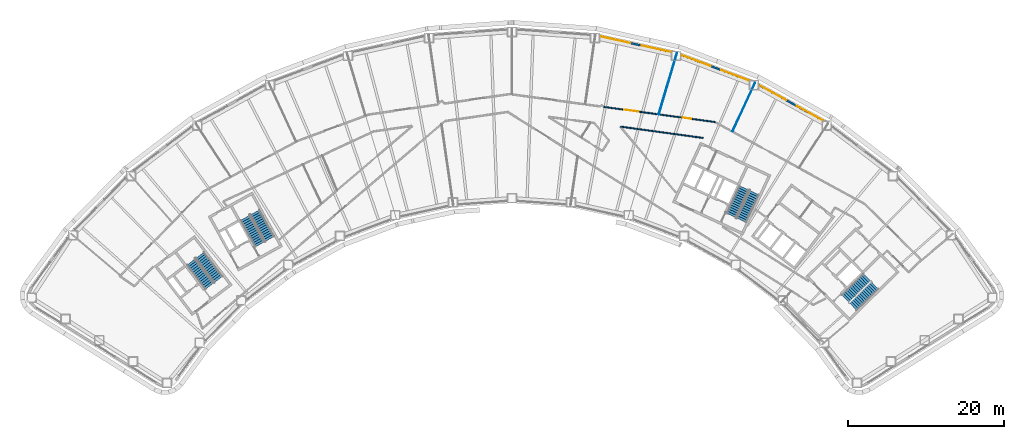
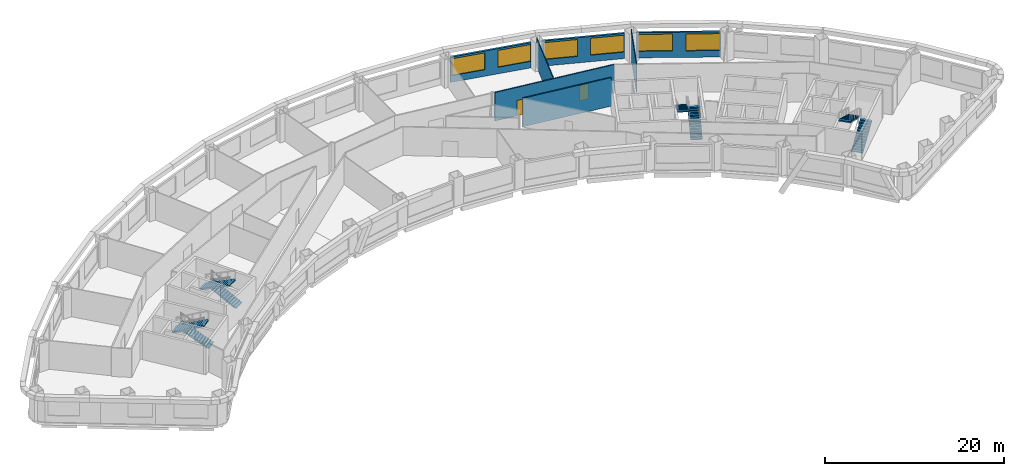
# One storey, part 8 of 10: 8 stair flights, 7 walls, 6 windows, 2 doors, 8 openings, 4 elements without a shape of their own.
"""IFC4 building model written with IfcOpenShell, lengths in metres."""

from ifc_helpers import new_model, si_unit, direction, frame, frame_2d, origin, place, context, subcontext, project, spatial, polyline, rectangle, outline, extrude, material, layer, layer_set, type_object, element, fill, aggregate, save


model = new_model("IFC4")

# Units and contexts
model_context = context("Model", 3, precision=1e-05, world=origin(), true_north=direction((0.0, 1.0)))
body_context = subcontext(model_context, "Body", "Model", "MODEL_VIEW")
ifc_project = project(units=[si_unit("LENGTHUNIT", "METRE"), si_unit("AREAUNIT", "SQUARE_METRE"), si_unit("VOLUMEUNIT", "CUBIC_METRE"), si_unit("PLANEANGLEUNIT", "RADIAN"), si_unit("MASSUNIT", "GRAM", prefix="KILO")], contexts=[model_context])

# Site, building, storey
site_placement = place(None, origin())
site = spatial("IfcSite", under=ifc_project, at=site_placement, CompositionType="ELEMENT")
building_placement = place(site_placement, origin())
building = spatial("IfcBuilding", under=site, at=building_placement, Name="Tuul Gate Civic Tower", CompositionType="ELEMENT")
storey_placement = place(building_placement, frame((0.0, 0.0, 86.39990234375)))
storey = spatial("IfcBuildingStorey", under=building, at=storey_placement, Name="Level 19", CompositionType="ELEMENT", Elevation=86.39990234375)

# Wall, openings, doors
ifc_material_1 = material(Name="Gypsum board partition")
ifc_layer_1 = layer(ifc_material_1, 0.14990234375)
ifc_layer_set_1 = layer_set([ifc_layer_1], Name="Gypsum board partition")
wall_type_1 = type_object("IfcWallType", Name="Corridor wall P150", PredefinedType="PARTITIONING", material=ifc_layer_set_1)
wall_1_placement = place(storey_placement, frame((16.561767578125, 9.07421875, 0.0), z_axis=(0.0, 0.0, 1.0), x_axis=(0.990834690685, -0.135080034555, 0.0)))
wall_1 = element("IfcWall", 1, at=wall_1_placement, inside=storey, type_object=wall_type_1, Name="p012", PredefinedType="PARTITIONING", context=body_context, shape_type="SweptSolid", body=[
    extrude(rectangle(XDim=14.451904296875, YDim=0.14990234375, at=frame_2d((7.22607421875, 0.0))), origin(), (0.0, 0.0, 1.0), 3.900146484375),
])
opening_1_placement = place(wall_1_placement, frame((10.25, 0.0, 0.0)))
opening_1 = element("IfcOpeningElement", 2, at=opening_1_placement, cuts=wall_1, Name="Opening F-D03", PredefinedType="OPENING", context=body_context, shape_type="SweptSolid", body=[
    extrude(rectangle(XDim=1.10009765625, YDim=2.10009765625, at=frame_2d((0.550048828125, 1.050048828125))), frame((0.0, 0.0849609375, 0.0), z_axis=(0.0, -1.0, 0.0), x_axis=(1.0, 0.0, 0.0)), (0.0, 0.0, 1.0), 0.169921875),
])
opening_2_placement = place(wall_1_placement, frame((2.674072265625, 0.0, 0.0)))
opening_2 = element("IfcOpeningElement", 3, at=opening_2_placement, cuts=wall_1, Name="Opening F-D04", PredefinedType="OPENING", context=body_context, shape_type="SweptSolid", body=[
    extrude(rectangle(XDim=1.800048828125, YDim=2.10009765625, at=frame_2d((0.89990234375, 1.050048828125))), frame((0.0, 0.0849609375, 0.0), z_axis=(0.0, -1.0, 0.0), x_axis=(1.0, 0.0, 0.0)), (0.0, 0.0, 1.0), 0.169921875),
])
ifc_material_2 = material(Name="Timber door leaf", Category="wood")
door_type_1 = type_object("IfcDoorType", Name="Door D11", OperationType="NOTDEFINED", PredefinedType="DOOR", material=ifc_material_2)
door_1_placement = place(opening_1_placement, origin())
door_1 = element("IfcDoor", 4, at=door_1_placement, inside=storey, type_object=door_type_1, Name="Door F-D03", OperationType="SINGLE_SWING_RIGHT", OverallHeight=2.10009765625, OverallWidth=1.10009765625, PredefinedType="DOOR", context=body_context, shape_type="SweptSolid", body=[
    extrude(rectangle(XDim=1.10009765625, YDim=2.10009765625, at=frame_2d((0.550048828125, 1.050048828125))), frame((0.0, 0.02490234375, 0.0), z_axis=(0.0, -1.0, 0.0), x_axis=(1.0, 0.0, 0.0)), (0.0, 0.0, 1.0), 0.050048828125),
])
fill(opening_1, door_1)
ifc_material_3 = material(Name="Timber door leaf, double", Category="wood")
door_type_2 = type_object("IfcDoorType", Name="Door D18", OperationType="DOUBLE_DOOR_SINGLE_SWING", PredefinedType="DOOR", material=ifc_material_3)
door_2_placement = place(opening_2_placement, origin())
door_2 = element("IfcDoor", 5, at=door_2_placement, inside=storey, type_object=door_type_2, Name="Door F-D04", OperationType="DOUBLE_DOOR_SINGLE_SWING", OverallHeight=2.10009765625, OverallWidth=1.800048828125, PredefinedType="DOOR", context=body_context, shape_type="SweptSolid", body=[
    extrude(rectangle(XDim=1.800048828125, YDim=2.10009765625, at=frame_2d((0.89990234375, 1.050048828125))), frame((0.0, 0.02490234375, 0.0), z_axis=(0.0, -1.0, 0.0), x_axis=(1.0, 0.0, 0.0)), (0.0, 0.0, 1.0), 0.050048828125),
])
fill(opening_2, door_2)

# Wall
wall_2_placement = place(storey_placement, frame((18.736083984375, 6.53662109375, 0.0), z_axis=(0.0, 0.0, 1.0), x_axis=(0.990753616784, -0.135673397645, 0.0)))
element("IfcWall", 6, at=wall_2_placement, inside=storey, type_object=wall_type_1, Name="p049", PredefinedType="PARTITIONING", context=body_context, shape_type="SweptSolid", body=[
    extrude(rectangle(XDim=10.696044921875, YDim=0.14990234375, at=frame_2d((5.34814453125, 0.0))), origin(), (0.0, 0.0, 1.0), 3.900146484375),
])

# Wall, openings, windows
ifc_material_4 = material(Name="Precast concrete C40/50", Category="concrete")
ifc_layer_2 = layer(ifc_material_4, 0.25)
ifc_layer_set_2 = layer_set([ifc_layer_2], Name="Precast concrete C40/50")
wall_type_2 = type_object("IfcWallType", Name="External wall", PredefinedType="STANDARD", material=ifc_layer_set_2)
wall_3_placement = place(storey_placement, frame((44.798583984375, 7.283935546875, 0.0), z_axis=(0.0, 0.0, 1.0), x_axis=(-0.874600835604, 0.484843663835, 0.0)))
wall_3 = element("IfcWall", 7, at=wall_3_placement, inside=storey, type_object=wall_type_2, Name="External wall", PredefinedType="STANDARD", context=body_context, shape_type="SweptSolid", body=[
    extrude(rectangle(XDim=9.5205078125, YDim=0.25, at=frame_2d((4.76025390625, 0.0))), origin(), (0.0, 0.0, 1.0), 3.4501953125),
])
opening_3_placement = place(wall_3_placement, frame((0.0771484375, 0.0, 0.89990234375)))
opening_3 = element("IfcOpeningElement", 8, at=opening_3_placement, cuts=wall_3, Name="Opening W22", PredefinedType="OPENING", context=body_context, shape_type="SweptSolid", body=[
    extrude(rectangle(XDim=3.85009765625, YDim=2.300048828125, at=frame_2d((1.925048828125, 1.14990234375))), frame((0.0, 0.135009765625, 0.0), z_axis=(0.0, -1.0, 0.0), x_axis=(1.0, 0.0, 0.0)), (0.0, 0.0, 1.0), 0.27001953125),
])
opening_4_placement = place(wall_3_placement, frame((5.447998046875, 0.0, 0.89990234375)))
opening_4 = element("IfcOpeningElement", 9, at=opening_4_placement, cuts=wall_3, Name="Opening W22", PredefinedType="OPENING", context=body_context, shape_type="SweptSolid", body=[
    extrude(rectangle(XDim=3.85009765625, YDim=2.300048828125, at=frame_2d((1.925048828125, 1.14990234375))), frame((0.0, 0.135009765625, 0.0), z_axis=(0.0, -1.0, 0.0), x_axis=(1.0, 0.0, 0.0)), (0.0, 0.0, 1.0), 0.27001953125),
])
ifc_material_5 = material(Name="Glass", Category="glass")
window_type_1 = type_object("IfcWindowType", Name="Window W22 3850 x 2300", PartitioningType="SINGLE_PANEL", PredefinedType="WINDOW", material=ifc_material_5)
window_1_placement = place(opening_3_placement, origin())
window_1 = element("IfcWindow", 10, at=window_1_placement, inside=storey, type_object=window_type_1, Name="Window", OverallHeight=2.300048828125, OverallWidth=3.85009765625, PartitioningType="SINGLE_PANEL", PredefinedType="WINDOW", context=body_context, shape_type="SweptSolid", body=[
    extrude(rectangle(XDim=3.85009765625, YDim=2.300048828125, at=frame_2d((1.925048828125, 1.14990234375))), frame((0.0, 0.030029296875, 0.0), z_axis=(0.0, -1.0, 0.0), x_axis=(1.0, 0.0, 0.0)), (0.0, 0.0, 1.0), 0.06005859375),
])
fill(opening_3, window_1)
window_2_placement = place(opening_4_placement, origin())
window_2 = element("IfcWindow", 11, at=window_2_placement, inside=storey, type_object=window_type_1, Name="Window", OverallHeight=2.300048828125, OverallWidth=3.85009765625, PartitioningType="SINGLE_PANEL", PredefinedType="WINDOW", context=body_context, shape_type="SweptSolid", body=[
    extrude(rectangle(XDim=3.85009765625, YDim=2.300048828125, at=frame_2d((1.925048828125, 1.14990234375))), frame((0.0, 0.030029296875, 0.0), z_axis=(0.0, -1.0, 0.0), x_axis=(1.0, 0.0, 0.0)), (0.0, 0.0, 1.0), 0.06005859375),
])
fill(opening_4, window_2)

wall_4_placement = place(storey_placement, frame((35.27197265625, 12.43505859375, 0.0), z_axis=(0.0, 0.0, 1.0), x_axis=(-0.935339717619, 0.35375077759, 0.0)))
wall_4 = element("IfcWall", 12, at=wall_4_placement, inside=storey, type_object=wall_type_2, Name="External wall", PredefinedType="STANDARD", context=body_context, shape_type="SweptSolid", body=[
    extrude(rectangle(XDim=9.394287109375, YDim=0.25, at=frame_2d((4.697265625, 0.0))), origin(), (0.0, 0.0, 1.0), 3.4501953125),
])
opening_5_placement = place(wall_4_placement, frame((0.044921875, 0.0, 0.89990234375)))
opening_5 = element("IfcOpeningElement", 13, at=opening_5_placement, cuts=wall_4, Name="Opening W100", PredefinedType="OPENING", context=body_context, shape_type="SweptSolid", body=[
    extrude(rectangle(XDim=3.800048828125, YDim=2.300048828125, at=frame_2d((1.89990234375, 1.14990234375))), frame((0.0, 0.135009765625, 0.0), z_axis=(0.0, -1.0, 0.0), x_axis=(1.0, 0.0, 0.0)), (0.0, 0.0, 1.0), 0.27001953125),
])
opening_6_placement = place(wall_4_placement, frame((5.33447265625, 0.0, 0.89990234375)))
opening_6 = element("IfcOpeningElement", 14, at=opening_6_placement, cuts=wall_4, Name="Opening W22", PredefinedType="OPENING", context=body_context, shape_type="SweptSolid", body=[
    extrude(rectangle(XDim=3.85009765625, YDim=2.300048828125, at=frame_2d((1.925048828125, 1.14990234375))), frame((0.0, 0.135009765625, 0.0), z_axis=(0.0, -1.0, 0.0), x_axis=(1.0, 0.0, 0.0)), (0.0, 0.0, 1.0), 0.27001953125),
])
ifc_material_6 = material(Name="Glass", Category="glass")
window_type_2 = type_object("IfcWindowType", Name="Window W100 3800 x 2300", PartitioningType="SINGLE_PANEL", PredefinedType="WINDOW", material=ifc_material_6)
window_3_placement = place(opening_5_placement, origin())
window_3 = element("IfcWindow", 15, at=window_3_placement, inside=storey, type_object=window_type_2, Name="Window", OverallHeight=2.300048828125, OverallWidth=3.800048828125, PartitioningType="SINGLE_PANEL", PredefinedType="WINDOW", context=body_context, shape_type="SweptSolid", body=[
    extrude(rectangle(XDim=3.800048828125, YDim=2.300048828125, at=frame_2d((1.89990234375, 1.14990234375))), frame((0.0, 0.030029296875, 0.0), z_axis=(0.0, -1.0, 0.0), x_axis=(1.0, 0.0, 0.0)), (0.0, 0.0, 1.0), 0.06005859375),
])
fill(opening_5, window_3)
window_4_placement = place(opening_6_placement, origin())
window_4 = element("IfcWindow", 16, at=window_4_placement, inside=storey, type_object=window_type_1, Name="Window", OverallHeight=2.300048828125, OverallWidth=3.85009765625, PartitioningType="SINGLE_PANEL", PredefinedType="WINDOW", context=body_context, shape_type="SweptSolid", body=[
    extrude(rectangle(XDim=3.85009765625, YDim=2.300048828125, at=frame_2d((1.925048828125, 1.14990234375))), frame((0.0, 0.030029296875, 0.0), z_axis=(0.0, -1.0, 0.0), x_axis=(1.0, 0.0, 0.0)), (0.0, 0.0, 1.0), 0.06005859375),
])
fill(opening_6, window_4)

wall_5_placement = place(storey_placement, frame((25.284912109375, 16.1025390625, 0.0), z_axis=(0.0, 0.0, 1.0), x_axis=(-0.976565560321, 0.215220134732, 0.0)))
wall_5 = element("IfcWall", 17, at=wall_5_placement, inside=storey, type_object=wall_type_2, Name="External wall", PredefinedType="STANDARD", context=body_context, shape_type="SweptSolid", body=[
    extrude(rectangle(XDim=9.4482421875, YDim=0.25, at=frame_2d((4.72412109375, 0.0))), origin(), (0.0, 0.0, 1.0), 3.4501953125),
])
opening_7_placement = place(wall_5_placement, frame((0.041748046875, 0.0, 0.89990234375)))
opening_7 = element("IfcOpeningElement", 18, at=opening_7_placement, cuts=wall_5, Name="Opening W22", PredefinedType="OPENING", context=body_context, shape_type="SweptSolid", body=[
    extrude(rectangle(XDim=3.85009765625, YDim=2.300048828125, at=frame_2d((1.925048828125, 1.14990234375))), frame((0.0, 0.135009765625, 0.0), z_axis=(0.0, -1.0, 0.0), x_axis=(1.0, 0.0, 0.0)), (0.0, 0.0, 1.0), 0.27001953125),
])
opening_8_placement = place(wall_5_placement, frame((5.4130859375, 0.0, 0.89990234375)))
opening_8 = element("IfcOpeningElement", 19, at=opening_8_placement, cuts=wall_5, Name="Opening W22", PredefinedType="OPENING", context=body_context, shape_type="SweptSolid", body=[
    extrude(rectangle(XDim=3.85009765625, YDim=2.300048828125, at=frame_2d((1.925048828125, 1.14990234375))), frame((0.0, 0.135009765625, 0.0), z_axis=(0.0, -1.0, 0.0), x_axis=(1.0, 0.0, 0.0)), (0.0, 0.0, 1.0), 0.27001953125),
])
window_5_placement = place(opening_7_placement, origin())
window_5 = element("IfcWindow", 20, at=window_5_placement, inside=storey, type_object=window_type_1, Name="Window", OverallHeight=2.300048828125, OverallWidth=3.85009765625, PartitioningType="SINGLE_PANEL", PredefinedType="WINDOW", context=body_context, shape_type="SweptSolid", body=[
    extrude(rectangle(XDim=3.85009765625, YDim=2.300048828125, at=frame_2d((1.925048828125, 1.14990234375))), frame((0.0, 0.030029296875, 0.0), z_axis=(0.0, -1.0, 0.0), x_axis=(1.0, 0.0, 0.0)), (0.0, 0.0, 1.0), 0.06005859375),
])
fill(opening_7, window_5)
window_6_placement = place(opening_8_placement, origin())
window_6 = element("IfcWindow", 21, at=window_6_placement, inside=storey, type_object=window_type_1, Name="Window", OverallHeight=2.300048828125, OverallWidth=3.85009765625, PartitioningType="SINGLE_PANEL", PredefinedType="WINDOW", context=body_context, shape_type="SweptSolid", body=[
    extrude(rectangle(XDim=3.85009765625, YDim=2.300048828125, at=frame_2d((1.925048828125, 1.14990234375))), frame((0.0, 0.030029296875, 0.0), z_axis=(0.0, -1.0, 0.0), x_axis=(1.0, 0.0, 0.0)), (0.0, 0.0, 1.0), 0.06005859375),
])
fill(opening_8, window_6)

# Walls
ifc_material_7 = material(Name="Gypsum board partition")
ifc_layer_3 = layer(ifc_material_7, 0.10009765625)
ifc_layer_set_3 = layer_set([ifc_layer_3], Name="Gypsum board partition")
wall_type_3 = type_object("IfcWallType", Name="Partition P100", PredefinedType="PARTITIONING", material=ifc_layer_set_3)
wall_6_placement = place(storey_placement, frame((33.111328125, 5.901611328125, 0.0), z_axis=(0.0, 0.0, 1.0), x_axis=(0.420343760067, 0.907364933956, 0.0)))
element("IfcWall", 22, at=wall_6_placement, inside=storey, type_object=wall_type_3, Name="p009", PredefinedType="PARTITIONING", context=body_context, shape_type="SweptSolid", body=[
    extrude(rectangle(XDim=6.898193359375, YDim=0.10009765625, at=frame_2d((3.44921875, 0.0))), origin(), (0.0, 0.0, 1.0), 3.900146484375),
])
wall_7_placement = place(storey_placement, frame((23.64453125, 8.1083984375, 0.0), z_axis=(0.0, 0.0, 1.0), x_axis=(0.285221306763, 0.958461687376, 0.0)))
element("IfcWall", 23, at=wall_7_placement, inside=storey, type_object=wall_type_3, Name="p010", PredefinedType="PARTITIONING", context=body_context, shape_type="SweptSolid", body=[
    extrude(rectangle(XDim=8.1865234375, YDim=0.10009765625, at=frame_2d((4.09326171875, 0.0))), origin(), (0.0, 0.0, 1.0), 3.900146484375),
])

# Stair, stair flights
ifc_material_8 = material(Name="Concrete C40/50", Category="concrete")
stair_type = type_object("IfcStairType", Name="Exit stair", PredefinedType="HALF_TURN_STAIR", material=ifc_material_8)
stair_1_placement = place(storey_placement, origin())
stair_1 = element("IfcStair", 24, at=stair_1_placement, inside=storey, type_object=stair_type, Name="Level 19 ST-1", PredefinedType="HALF_TURN_STAIR")
ifc_material_9 = material(Name="Concrete C40/50", Category="concrete")
stair_flight_type = type_object("IfcStairFlightType", Name="Exit stair flight", PredefinedType="STRAIGHT", material=ifc_material_9)
stair_flight_1_placement = place(storey_placement, frame((-32.875244140625, -13.066650390625, 0.0), z_axis=(0.0, 0.0, 1.0), x_axis=(-0.605764474941, 0.795644016442, 0.0)))
stair_flight_1 = element("IfcStairFlight", 25, at=stair_flight_1_placement, type_object=stair_flight_type, Name="ST-1 flight 1", NumberOfRisers=14, NumberOfTreads=13, PredefinedType="STRAIGHT", RiserHeight=0.15, TreadLength=0.3, context=body_context, shape_type="SweptSolid", body=[
    extrude(outline(polyline([(0.0, 0.0), (0.0, 0.14990234375), (0.300048828125, 0.14990234375), (0.300048828125, 0.300048828125), (0.60009765625, 0.300048828125), (0.60009765625, 0.449951171875), (0.89990234375, 0.449951171875), (0.89990234375, 0.60009765625), (1.199951171875, 0.60009765625), (1.199951171875, 0.75), (1.5, 0.75), (1.5, 0.89990234375), (1.800048828125, 0.89990234375), (1.800048828125, 1.050048828125), (2.10009765625, 1.050048828125), (2.10009765625, 1.199951171875), (2.39990234375, 1.199951171875), (2.39990234375, 1.35009765625), (2.699951171875, 1.35009765625), (2.699951171875, 1.5), (3.0, 1.5), (3.0, 1.64990234375), (3.300048828125, 1.64990234375), (3.300048828125, 1.800048828125), (3.60009765625, 1.800048828125), (3.60009765625, 1.949951171875), (3.89990234375, 1.949951171875), (3.89990234375, 2.10009765625), (3.89990234375, 1.782470703125), (0.335205078125, 0.0), (0.0, 0.0)])), frame((0.0, 0.675048828125, 0.0), z_axis=(0.0, -1.0, 0.0), x_axis=(1.0, 0.0, 0.0)), (0.0, 0.0, 1.0), 1.35009765625),
])
stair_flight_2_placement = place(storey_placement, frame((-36.391357421875, -10.842041015625, 2.10009765625), z_axis=(0.0, 0.0, 1.0), x_axis=(0.605764474941, -0.795644016442, 0.0)))
stair_flight_2 = element("IfcStairFlight", 26, at=stair_flight_2_placement, type_object=stair_flight_type, Name="ST-1 flight 2", NumberOfRisers=14, NumberOfTreads=13, PredefinedType="STRAIGHT", RiserHeight=0.15, TreadLength=0.3, context=body_context, shape_type="SweptSolid", body=[
    extrude(outline(polyline([(0.0, 0.0), (0.0, 0.14990234375), (0.300048828125, 0.14990234375), (0.300048828125, 0.300048828125), (0.60009765625, 0.300048828125), (0.60009765625, 0.449951171875), (0.89990234375, 0.449951171875), (0.89990234375, 0.60009765625), (1.199951171875, 0.60009765625), (1.199951171875, 0.75), (1.5, 0.75), (1.5, 0.89990234375), (1.800048828125, 0.89990234375), (1.800048828125, 1.050048828125), (2.10009765625, 1.050048828125), (2.10009765625, 1.199951171875), (2.39990234375, 1.199951171875), (2.39990234375, 1.35009765625), (2.699951171875, 1.35009765625), (2.699951171875, 1.5), (3.0, 1.5), (3.0, 1.64990234375), (3.300048828125, 1.64990234375), (3.300048828125, 1.800048828125), (3.60009765625, 1.800048828125), (3.60009765625, 1.949951171875), (3.89990234375, 1.949951171875), (3.89990234375, 2.10009765625), (3.89990234375, 1.782470703125), (0.335205078125, 0.0), (0.0, 0.0)])), frame((0.0, 0.675048828125, 0.0), z_axis=(0.0, -1.0, 0.0), x_axis=(1.0, 0.0, 0.0)), (0.0, 0.0, 1.0), 1.35009765625),
])
aggregate(stair_1, [stair_flight_1, stair_flight_2])

stair_2_placement = place(storey_placement, origin())
stair_2 = element("IfcStair", 27, at=stair_2_placement, inside=storey, type_object=stair_type, Name="Level 19 ST-2", PredefinedType="HALF_TURN_STAIR")
stair_flight_3_placement = place(storey_placement, frame((-26.29150390625, -7.87646484375, 0.0), z_axis=(0.0, 0.0, 1.0), x_axis=(-0.484761763766, 0.874646232708, 0.0)))
stair_flight_3 = element("IfcStairFlight", 28, at=stair_flight_3_placement, type_object=stair_flight_type, Name="ST-2 flight 1", NumberOfRisers=14, NumberOfTreads=13, PredefinedType="STRAIGHT", RiserHeight=0.15, TreadLength=0.3, context=body_context, shape_type="SweptSolid", body=[
    extrude(outline(polyline([(0.0, 0.0), (0.0, 0.14990234375), (0.300048828125, 0.14990234375), (0.300048828125, 0.300048828125), (0.60009765625, 0.300048828125), (0.60009765625, 0.449951171875), (0.89990234375, 0.449951171875), (0.89990234375, 0.60009765625), (1.199951171875, 0.60009765625), (1.199951171875, 0.75), (1.5, 0.75), (1.5, 0.89990234375), (1.800048828125, 0.89990234375), (1.800048828125, 1.050048828125), (2.10009765625, 1.050048828125), (2.10009765625, 1.199951171875), (2.39990234375, 1.199951171875), (2.39990234375, 1.35009765625), (2.699951171875, 1.35009765625), (2.699951171875, 1.5), (3.0, 1.5), (3.0, 1.64990234375), (3.300048828125, 1.64990234375), (3.300048828125, 1.800048828125), (3.60009765625, 1.800048828125), (3.60009765625, 1.949951171875), (3.89990234375, 1.949951171875), (3.89990234375, 2.10009765625), (3.89990234375, 1.782470703125), (0.335205078125, 0.0), (0.0, 0.0)])), frame((0.0, 0.675048828125, 0.0), z_axis=(0.0, -1.0, 0.0), x_axis=(1.0, 0.0, 0.0)), (0.0, 0.0, 1.0), 1.35009765625),
])
stair_flight_4_placement = place(storey_placement, frame((-29.450439453125, -5.168212890625, 2.10009765625), z_axis=(0.0, 0.0, 1.0), x_axis=(0.484761763766, -0.874646232708, 0.0)))
stair_flight_4 = element("IfcStairFlight", 29, at=stair_flight_4_placement, type_object=stair_flight_type, Name="ST-2 flight 2", NumberOfRisers=14, NumberOfTreads=13, PredefinedType="STRAIGHT", RiserHeight=0.15, TreadLength=0.3, context=body_context, shape_type="SweptSolid", body=[
    extrude(outline(polyline([(0.0, 0.0), (0.0, 0.14990234375), (0.300048828125, 0.14990234375), (0.300048828125, 0.300048828125), (0.60009765625, 0.300048828125), (0.60009765625, 0.449951171875), (0.89990234375, 0.449951171875), (0.89990234375, 0.60009765625), (1.199951171875, 0.60009765625), (1.199951171875, 0.75), (1.5, 0.75), (1.5, 0.89990234375), (1.800048828125, 0.89990234375), (1.800048828125, 1.050048828125), (2.10009765625, 1.050048828125), (2.10009765625, 1.199951171875), (2.39990234375, 1.199951171875), (2.39990234375, 1.35009765625), (2.699951171875, 1.35009765625), (2.699951171875, 1.5), (3.0, 1.5), (3.0, 1.64990234375), (3.300048828125, 1.64990234375), (3.300048828125, 1.800048828125), (3.60009765625, 1.800048828125), (3.60009765625, 1.949951171875), (3.89990234375, 1.949951171875), (3.89990234375, 2.10009765625), (3.89990234375, 1.782470703125), (0.335205078125, 0.0), (0.0, 0.0)])), frame((0.0, 0.675048828125, 0.0), z_axis=(0.0, -1.0, 0.0), x_axis=(1.0, 0.0, 0.0)), (0.0, 0.0, 1.0), 1.35009765625),
])
aggregate(stair_2, [stair_flight_3, stair_flight_4])

stair_3_placement = place(storey_placement, origin())
stair_3 = element("IfcStair", 30, at=stair_3_placement, inside=storey, type_object=stair_type, Name="Level 19 ST-3", PredefinedType="HALF_TURN_STAIR")
stair_flight_5_placement = place(storey_placement, frame((48.61376953125, -16.581787109375, 0.0), z_axis=(0.0, 0.0, 1.0), x_axis=(0.714127290059, 0.700015866672, 0.0)))
stair_flight_5 = element("IfcStairFlight", 31, at=stair_flight_5_placement, type_object=stair_flight_type, Name="ST-3 flight 1", NumberOfRisers=14, NumberOfTreads=13, PredefinedType="STRAIGHT", RiserHeight=0.15, TreadLength=0.3, context=body_context, shape_type="SweptSolid", body=[
    extrude(outline(polyline([(0.0, 0.0), (0.0, 0.14990234375), (0.300048828125, 0.14990234375), (0.300048828125, 0.300048828125), (0.60009765625, 0.300048828125), (0.60009765625, 0.449951171875), (0.89990234375, 0.449951171875), (0.89990234375, 0.60009765625), (1.199951171875, 0.60009765625), (1.199951171875, 0.75), (1.5, 0.75), (1.5, 0.89990234375), (1.800048828125, 0.89990234375), (1.800048828125, 1.050048828125), (2.10009765625, 1.050048828125), (2.10009765625, 1.199951171875), (2.39990234375, 1.199951171875), (2.39990234375, 1.35009765625), (2.699951171875, 1.35009765625), (2.699951171875, 1.5), (3.0, 1.5), (3.0, 1.64990234375), (3.300048828125, 1.64990234375), (3.300048828125, 1.800048828125), (3.60009765625, 1.800048828125), (3.60009765625, 1.949951171875), (3.89990234375, 1.949951171875), (3.89990234375, 2.10009765625), (3.89990234375, 1.782470703125), (0.335205078125, 0.0), (0.0, 0.0)])), frame((0.0, 0.675048828125, 0.0), z_axis=(0.0, -1.0, 0.0), x_axis=(1.0, 0.0, 0.0)), (0.0, 0.0, 1.0), 1.35009765625),
])
stair_flight_6_placement = place(storey_placement, frame((50.3837890625, -12.816162109375, 2.10009765625), z_axis=(0.0, 0.0, 1.0), x_axis=(-0.714127290059, -0.700015866672, 0.0)))
stair_flight_6 = element("IfcStairFlight", 32, at=stair_flight_6_placement, type_object=stair_flight_type, Name="ST-3 flight 2", NumberOfRisers=14, NumberOfTreads=13, PredefinedType="STRAIGHT", RiserHeight=0.15, TreadLength=0.3, context=body_context, shape_type="SweptSolid", body=[
    extrude(outline(polyline([(0.0, 0.0), (0.0, 0.14990234375), (0.300048828125, 0.14990234375), (0.300048828125, 0.300048828125), (0.60009765625, 0.300048828125), (0.60009765625, 0.449951171875), (0.89990234375, 0.449951171875), (0.89990234375, 0.60009765625), (1.199951171875, 0.60009765625), (1.199951171875, 0.75), (1.5, 0.75), (1.5, 0.89990234375), (1.800048828125, 0.89990234375), (1.800048828125, 1.050048828125), (2.10009765625, 1.050048828125), (2.10009765625, 1.199951171875), (2.39990234375, 1.199951171875), (2.39990234375, 1.35009765625), (2.699951171875, 1.35009765625), (2.699951171875, 1.5), (3.0, 1.5), (3.0, 1.64990234375), (3.300048828125, 1.64990234375), (3.300048828125, 1.800048828125), (3.60009765625, 1.800048828125), (3.60009765625, 1.949951171875), (3.89990234375, 1.949951171875), (3.89990234375, 2.10009765625), (3.89990234375, 1.782470703125), (0.335205078125, 0.0), (0.0, 0.0)])), frame((0.0, 0.675048828125, 0.0), z_axis=(0.0, -1.0, 0.0), x_axis=(1.0, 0.0, 0.0)), (0.0, 0.0, 1.0), 1.35009765625),
])
aggregate(stair_3, [stair_flight_5, stair_flight_6])

stair_4_placement = place(storey_placement, origin())
stair_4 = element("IfcStair", 33, at=stair_4_placement, inside=storey, type_object=stair_type, Name="Level 19 ST-4", PredefinedType="HALF_TURN_STAIR")
stair_flight_7_placement = place(storey_placement, frame((34.278564453125, -5.478515625, 0.0), z_axis=(0.0, 0.0, 1.0), x_axis=(0.422576295988, 0.906327354806, 0.0)))
stair_flight_7 = element("IfcStairFlight", 34, at=stair_flight_7_placement, type_object=stair_flight_type, Name="ST-4 flight 1", NumberOfRisers=14, NumberOfTreads=13, PredefinedType="STRAIGHT", RiserHeight=0.15, TreadLength=0.3, context=body_context, shape_type="SweptSolid", body=[
    extrude(outline(polyline([(0.0, 0.0), (0.0, 0.14990234375), (0.300048828125, 0.14990234375), (0.300048828125, 0.300048828125), (0.60009765625, 0.300048828125), (0.60009765625, 0.449951171875), (0.89990234375, 0.449951171875), (0.89990234375, 0.60009765625), (1.199951171875, 0.60009765625), (1.199951171875, 0.75), (1.5, 0.75), (1.5, 0.89990234375), (1.800048828125, 0.89990234375), (1.800048828125, 1.050048828125), (2.10009765625, 1.050048828125), (2.10009765625, 1.199951171875), (2.39990234375, 1.199951171875), (2.39990234375, 1.35009765625), (2.699951171875, 1.35009765625), (2.699951171875, 1.5), (3.0, 1.5), (3.0, 1.64990234375), (3.300048828125, 1.64990234375), (3.300048828125, 1.800048828125), (3.60009765625, 1.800048828125), (3.60009765625, 1.949951171875), (3.89990234375, 1.949951171875), (3.89990234375, 2.10009765625), (3.89990234375, 1.782470703125), (0.335205078125, 0.0), (0.0, 0.0)])), frame((0.0, 0.675048828125, 0.0), z_axis=(0.0, -1.0, 0.0), x_axis=(1.0, 0.0, 0.0)), (0.0, 0.0, 1.0), 1.35009765625),
])
stair_flight_8_placement = place(storey_placement, frame((34.612548828125, -1.3310546875, 2.10009765625), z_axis=(0.0, 0.0, 1.0), x_axis=(-0.422576295988, -0.906327354806, 0.0)))
stair_flight_8 = element("IfcStairFlight", 35, at=stair_flight_8_placement, type_object=stair_flight_type, Name="ST-4 flight 2", NumberOfRisers=14, NumberOfTreads=13, PredefinedType="STRAIGHT", RiserHeight=0.15, TreadLength=0.3, context=body_context, shape_type="SweptSolid", body=[
    extrude(outline(polyline([(0.0, 0.0), (0.0, 0.14990234375), (0.300048828125, 0.14990234375), (0.300048828125, 0.300048828125), (0.60009765625, 0.300048828125), (0.60009765625, 0.449951171875), (0.89990234375, 0.449951171875), (0.89990234375, 0.60009765625), (1.199951171875, 0.60009765625), (1.199951171875, 0.75), (1.5, 0.75), (1.5, 0.89990234375), (1.800048828125, 0.89990234375), (1.800048828125, 1.050048828125), (2.10009765625, 1.050048828125), (2.10009765625, 1.199951171875), (2.39990234375, 1.199951171875), (2.39990234375, 1.35009765625), (2.699951171875, 1.35009765625), (2.699951171875, 1.5), (3.0, 1.5), (3.0, 1.64990234375), (3.300048828125, 1.64990234375), (3.300048828125, 1.800048828125), (3.60009765625, 1.800048828125), (3.60009765625, 1.949951171875), (3.89990234375, 1.949951171875), (3.89990234375, 2.10009765625), (3.89990234375, 1.782470703125), (0.335205078125, 0.0), (0.0, 0.0)])), frame((0.0, 0.675048828125, 0.0), z_axis=(0.0, -1.0, 0.0), x_axis=(1.0, 0.0, 0.0)), (0.0, 0.0, 1.0), 1.35009765625),
])
aggregate(stair_4, [stair_flight_7, stair_flight_8])

save(model, "model.ifc")
